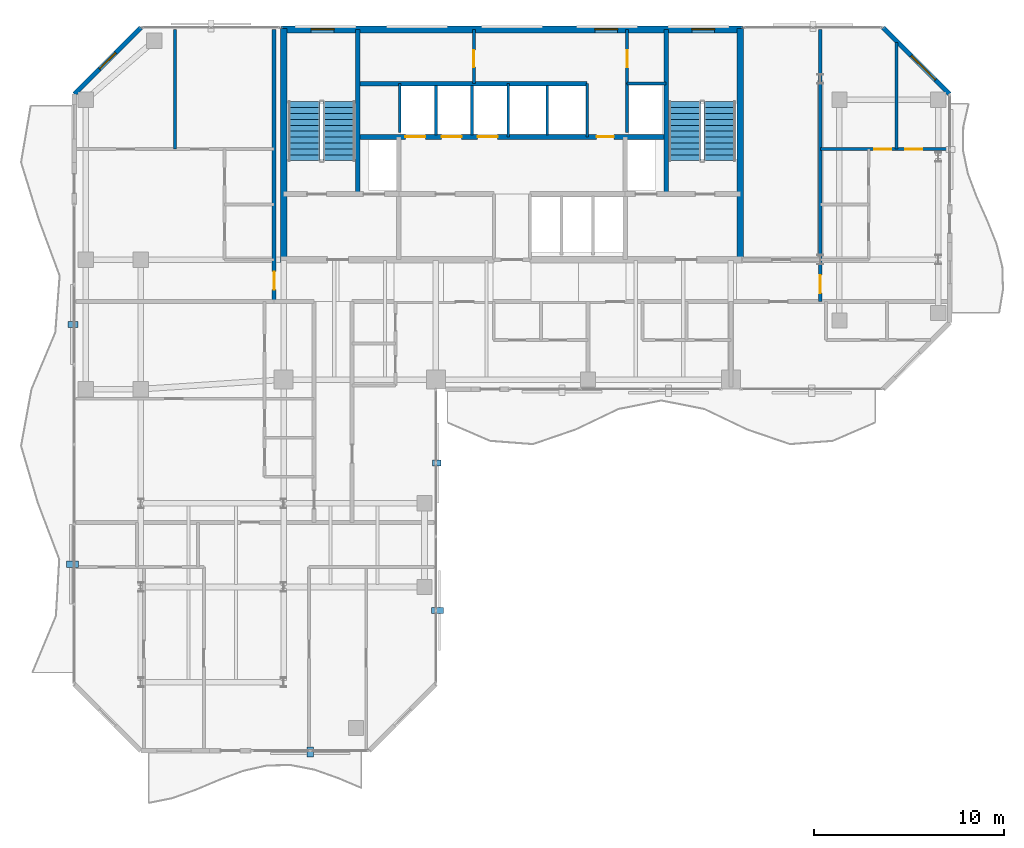
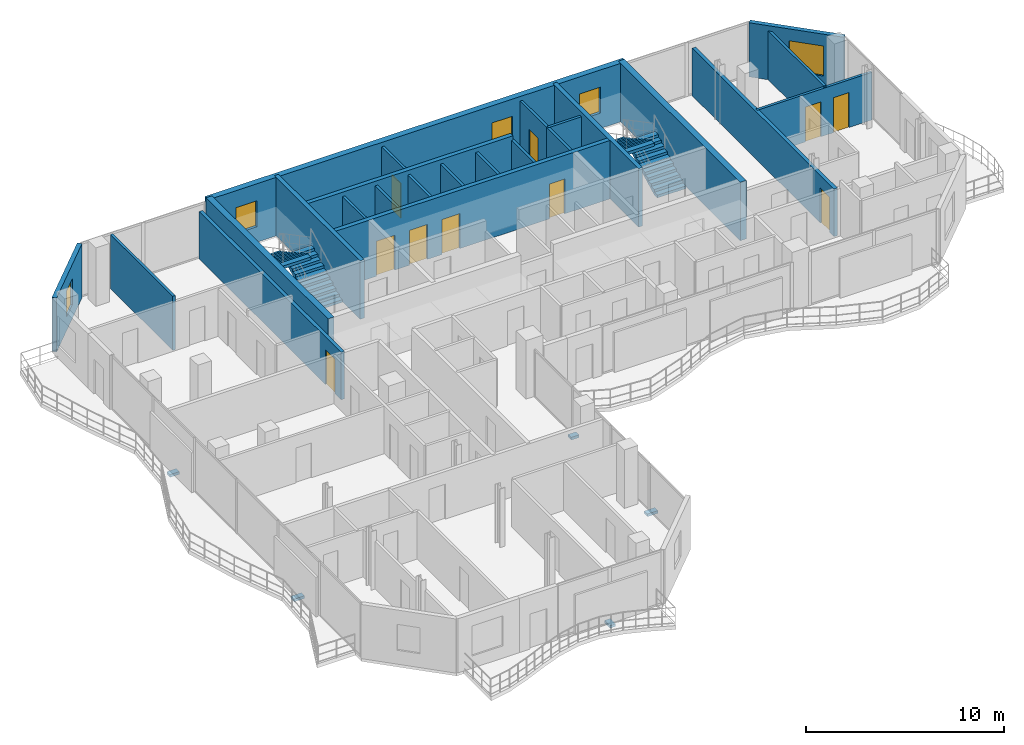
# One storey, part 20 of 24: 24 walls, 10 doors, 5 discrete accessories, 5 windows, 4 stair flights, 15 openings, 2 elements without a shape of their own.
"""IFC4 building model written with IfcOpenShell, lengths in metres."""

from ifc_helpers import new_model, si_unit, direction, frame, frame_2d, origin, origin_2d, place, context, subcontext, project, spatial, polyline, rectangle, outline, extrude, material, layer, layer_set, type_object, element, fill, aggregate, save


model = new_model("IFC4")

# Units and contexts
model_context = context("Model", 3, precision=1e-05, world=origin(), true_north=direction((0.0, 1.0)))
body_context = subcontext(model_context, "Body", "Model", "MODEL_VIEW")
ifc_project = project(units=[si_unit("LENGTHUNIT", "METRE"), si_unit("AREAUNIT", "SQUARE_METRE"), si_unit("VOLUMEUNIT", "CUBIC_METRE"), si_unit("PLANEANGLEUNIT", "RADIAN"), si_unit("MASSUNIT", "GRAM", prefix="KILO")], contexts=[model_context])

# Site, building, storey
site_placement = place(None, origin())
site = spatial("IfcSite", under=ifc_project, at=site_placement, CompositionType="ELEMENT")
building_placement = place(site_placement, origin())
building = spatial("IfcBuilding", under=site, at=building_placement, Name="Catumbela Crestline Tower", CompositionType="ELEMENT")
storey_placement = place(building_placement, frame((0.0, 0.0, 154.2)))
storey = spatial("IfcBuildingStorey", under=building, at=storey_placement, Name="L39", CompositionType="ELEMENT", Elevation=154.2)

# Walls
ifc_material_1 = material(Name="Concrete C50/60", Category="concrete")
ifc_layer_1 = layer(ifc_material_1, 0.25, Name="Concrete C50/60")
ifc_layer_set_1 = layer_set([ifc_layer_1], Name="Concrete C50/60")
wall_type_1 = type_object("IfcWallType", Name="CW-250D", PredefinedType="SHEAR", material=ifc_layer_set_1)
for number, where, z_axis, x_axis, name in (
    (1, (19.9, 34.25, 0.0), (0.0, 0.0, 1.0), (0.0, 1.0, 0.0), "L39 Structural Core Shear Wall WWEB"),
    (2, (36.1, 34.25, 0.0), (0.0, 0.0, 1.0), (0.0, 1.0, 0.0), "L39 Structural Core Shear Wall EWEB"),
):
    element("IfcWall", number, at=place(storey_placement, frame(where, z_axis=z_axis, x_axis=x_axis)), inside=storey, type_object=wall_type_1, Name=name, PredefinedType="SHEAR", context=body_context, shape_type="SweptSolid", body=[
        extrude(rectangle(XDim=8.65, YDim=0.25, at=frame_2d((4.325, 0.0))), origin(), (0.0, 0.0, 1.0), 3.6),
    ])

# Wall, openings, doors
wall_1_placement = place(storey_placement, frame((19.9, 37.25, 0.0), z_axis=(0.0, 0.0, 1.0), x_axis=(1.0, 0.0, 0.0)))
wall_1 = element("IfcWall", 3, at=wall_1_placement, inside=storey, type_object=wall_type_1, Name="L39 Structural Core Shear Wall LIFTN", PredefinedType="SHEAR", context=body_context, shape_type="SweptSolid", body=[
    extrude(rectangle(XDim=16.2, YDim=0.25, at=frame_2d((8.1, 0.0))), origin(), (0.0, 0.0, 1.0), 3.6),
])
opening_1_placement = place(wall_1_placement, frame((12.55, 0.0, 0.0)))
opening_1 = element("IfcOpeningElement", 4, at=opening_1_placement, cuts=wall_1, Name="Opening DF9-090", PredefinedType="OPENING", context=body_context, shape_type="SweptSolid", body=[
    extrude(rectangle(XDim=0.9, YDim=2.15, at=frame_2d((0.45, 1.075))), frame((0.0, 0.135, 0.0), z_axis=(0.0, -1.0, 0.0), x_axis=(1.0, 0.0, 0.0)), (0.0, 0.0, 1.0), 0.27),
])
opening_2_placement = place(wall_1_placement, frame((2.5, 0.0, 0.0)))
opening_2 = element("IfcOpeningElement", 5, at=opening_2_placement, cuts=wall_1, Name="Opening LD-105", PredefinedType="OPENING", context=body_context, shape_type="SweptSolid", body=[
    extrude(rectangle(XDim=1.05, YDim=2.15, at=frame_2d((0.525, 1.075))), frame((0.0, 0.135, 0.0), z_axis=(0.0, -1.0, 0.0), x_axis=(1.0, 0.0, 0.0)), (0.0, 0.0, 1.0), 0.27),
])
opening_3_placement = place(wall_1_placement, frame((4.4, 0.0, 0.0)))
opening_3 = element("IfcOpeningElement", 6, at=opening_3_placement, cuts=wall_1, Name="Opening LD-105", PredefinedType="OPENING", context=body_context, shape_type="SweptSolid", body=[
    extrude(rectangle(XDim=1.05, YDim=2.15, at=frame_2d((0.525, 1.075))), frame((0.0, 0.135, 0.0), z_axis=(0.0, -1.0, 0.0), x_axis=(1.0, 0.0, 0.0)), (0.0, 0.0, 1.0), 0.27),
])
opening_4_placement = place(wall_1_placement, frame((6.3, 0.0, 0.0)))
opening_4 = element("IfcOpeningElement", 7, at=opening_4_placement, cuts=wall_1, Name="Opening LD-105", PredefinedType="OPENING", context=body_context, shape_type="SweptSolid", body=[
    extrude(rectangle(XDim=1.05, YDim=2.15, at=frame_2d((0.525, 1.075))), frame((0.0, 0.135, 0.0), z_axis=(0.0, -1.0, 0.0), x_axis=(1.0, 0.0, 0.0)), (0.0, 0.0, 1.0), 0.27),
])
ifc_material_2 = material(Name="Stainless steel EN 1.4401", Category="steel")
door_type_1 = type_object("IfcDoorType", Name="DF9-090", OperationType="NOTDEFINED", PredefinedType="DOOR", material=ifc_material_2)
door_1_placement = place(opening_1_placement, origin())
door_1 = element("IfcDoor", 8, at=door_1_placement, inside=storey, type_object=door_type_1, Name="L39 Interior Door DR-L39-CPAS1", OperationType="SINGLE_SWING_LEFT", OverallHeight=2.15, OverallWidth=0.9, PredefinedType="DOOR", context=body_context, shape_type="SweptSolid", body=[
    extrude(rectangle(XDim=0.9, YDim=2.15, at=frame_2d((0.45, 1.075))), frame((0.0, 0.025, 0.0), z_axis=(0.0, -1.0, 0.0), x_axis=(1.0, 0.0, 0.0)), (0.0, 0.0, 1.0), 0.05),
])
fill(opening_1, door_1)
door_type_2 = type_object("IfcDoorType", Name="LD-105", OperationType="NOTDEFINED", PredefinedType="DOOR", material=ifc_material_2)
door_2_placement = place(opening_2_placement, origin())
door_2 = element("IfcDoor", 9, at=door_2_placement, inside=storey, type_object=door_type_2, Name="L39 Lift Landing Sliding Door PL-H1", OperationType="DOUBLE_DOOR_SLIDING", OverallHeight=2.15, OverallWidth=1.05, PredefinedType="DOOR", context=body_context, shape_type="SweptSolid", body=[
    extrude(rectangle(XDim=1.05, YDim=2.15, at=frame_2d((0.525, 1.075))), frame((0.0, 0.025, 0.0), z_axis=(0.0, -1.0, 0.0), x_axis=(1.0, 0.0, 0.0)), (0.0, 0.0, 1.0), 0.05),
])
fill(opening_2, door_2)
door_3_placement = place(opening_3_placement, origin())
door_3 = element("IfcDoor", 10, at=door_3_placement, inside=storey, type_object=door_type_2, Name="L39 Lift Landing Sliding Door PL-H2", OperationType="DOUBLE_DOOR_SLIDING", OverallHeight=2.15, OverallWidth=1.05, PredefinedType="DOOR", context=body_context, shape_type="SweptSolid", body=[
    extrude(rectangle(XDim=1.05, YDim=2.15, at=frame_2d((0.525, 1.075))), frame((0.0, 0.025, 0.0), z_axis=(0.0, -1.0, 0.0), x_axis=(1.0, 0.0, 0.0)), (0.0, 0.0, 1.0), 0.05),
])
fill(opening_3, door_3)
door_4_placement = place(opening_4_placement, origin())
door_4 = element("IfcDoor", 11, at=door_4_placement, inside=storey, type_object=door_type_2, Name="L39 Lift Landing Sliding Door PL-H3", OperationType="DOUBLE_DOOR_SLIDING", OverallHeight=2.15, OverallWidth=1.05, PredefinedType="DOOR", context=body_context, shape_type="SweptSolid", body=[
    extrude(rectangle(XDim=1.05, YDim=2.15, at=frame_2d((0.525, 1.075))), frame((0.0, 0.025, 0.0), z_axis=(0.0, -1.0, 0.0), x_axis=(1.0, 0.0, 0.0)), (0.0, 0.0, 1.0), 0.05),
])
fill(opening_4, door_4)

# Walls
wall_2_placement = place(storey_placement, frame((19.9, 40.05, 0.0), z_axis=(0.0, 0.0, 1.0), x_axis=(1.0, 0.0, 0.0)))
element("IfcWall", 12, at=wall_2_placement, inside=storey, type_object=wall_type_1, Name="L39 Structural Core Shear Wall COREN", PredefinedType="SHEAR", context=body_context, shape_type="SweptSolid", body=[
    extrude(rectangle(XDim=12.05, YDim=0.25, at=frame_2d((6.025, 0.0))), origin(), (0.0, 0.0, 1.0), 3.6),
])
ifc_layer_2 = layer(ifc_material_1, 0.35, Name="Concrete C50/60")
ifc_layer_set_2 = layer_set([ifc_layer_2], Name="Concrete C50/60")
wall_type_2 = type_object("IfcWallType", Name="CW-350B", PredefinedType="SHEAR", material=ifc_layer_set_2)
for number, where, z_axis, x_axis, name in (
    (13, (16.0, 30.65, 0.0), (0.0, 0.0, 1.0), (0.0, 1.0, 0.0), "L39 Structural Core Shear Wall W"),
    (14, (40.0, 30.65, 0.0), (0.0, 0.0, 1.0), (0.0, 1.0, 0.0), "L39 Structural Core Shear Wall E"),
):
    element("IfcWall", number, at=place(storey_placement, frame(where, z_axis=z_axis, x_axis=x_axis)), inside=storey, type_object=wall_type_2, Name=name, PredefinedType="SHEAR", context=body_context, shape_type="SweptSolid", body=[
        extrude(rectangle(XDim=12.3, YDim=0.35, at=frame_2d((6.15, 0.0))), origin(), (0.0, 0.0, 1.0), 3.6),
    ])

# Wall, openings, windows
ifc_layer_3 = layer(ifc_material_1, 0.35, Name="Concrete C50/60")
ifc_layer_set_3 = layer_set([ifc_layer_3], Name="Concrete C50/60")
wall_type_3 = type_object("IfcWallType", Name="CW-350E", PredefinedType="SHEAR", material=ifc_layer_set_3)
wall_3_placement = place(storey_placement, frame((15.85, 42.9, 0.0), z_axis=(0.0, 0.0, 1.0), x_axis=(1.0, 0.0, 0.0)))
wall_3 = element("IfcWall", 15, at=wall_3_placement, inside=storey, type_object=wall_type_3, Name="L39 Structural Core Shear Wall N", PredefinedType="SHEAR", context=body_context, shape_type="SweptSolid", body=[
    extrude(rectangle(XDim=24.3, YDim=0.35, at=frame_2d((12.15, 0.0))), origin(), (0.0, 0.0, 1.0), 3.6),
])
opening_5_placement = place(wall_3_placement, frame((1.6, 0.0, 0.95)))
opening_5 = element("IfcOpeningElement", 16, at=opening_5_placement, cuts=wall_3, Name="Opening WN-02", PredefinedType="OPENING", context=body_context, shape_type="SweptSolid", body=[
    extrude(rectangle(XDim=1.2, YDim=1.6, at=frame_2d((0.6, 0.8))), frame((0.0, 0.185, 0.0), z_axis=(0.0, -1.0, 0.0), x_axis=(1.0, 0.0, 0.0)), (0.0, 0.0, 1.0), 0.37),
])
opening_6_placement = place(wall_3_placement, frame((16.5, 0.0, 0.95)))
opening_6 = element("IfcOpeningElement", 17, at=opening_6_placement, cuts=wall_3, Name="Opening WN-02", PredefinedType="OPENING", context=body_context, shape_type="SweptSolid", body=[
    extrude(rectangle(XDim=1.2, YDim=1.6, at=frame_2d((0.6, 0.8))), frame((0.0, 0.185, 0.0), z_axis=(0.0, -1.0, 0.0), x_axis=(1.0, 0.0, 0.0)), (0.0, 0.0, 1.0), 0.37),
])
opening_7_placement = place(wall_3_placement, frame((21.6, 0.0, 0.95)))
opening_7 = element("IfcOpeningElement", 18, at=opening_7_placement, cuts=wall_3, Name="Opening WN-02", PredefinedType="OPENING", context=body_context, shape_type="SweptSolid", body=[
    extrude(rectangle(XDim=1.2, YDim=1.6, at=frame_2d((0.6, 0.8))), frame((0.0, 0.185, 0.0), z_axis=(0.0, -1.0, 0.0), x_axis=(1.0, 0.0, 0.0)), (0.0, 0.0, 1.0), 0.37),
])
ifc_material_3 = material(Name="Low-E laminated solar-control double glazing", Category="glass")
window_type_1 = type_object("IfcWindowType", Name="WO-1200", PartitioningType="SINGLE_PANEL", PredefinedType="WINDOW", material=ifc_material_3)
window_1_placement = place(opening_5_placement, origin())
window_1 = element("IfcWindow", 19, at=window_1_placement, inside=storey, type_object=window_type_1, Name="L39 North Core Daylight Vision Window 214", OverallHeight=1.6, OverallWidth=1.2, PartitioningType="SINGLE_PANEL", PredefinedType="WINDOW", context=body_context, shape_type="SweptSolid", body=[
    extrude(rectangle(XDim=1.2, YDim=1.6, at=frame_2d((0.6, 0.8))), frame((0.0, 0.03, 0.0), z_axis=(0.0, -1.0, 0.0), x_axis=(1.0, 0.0, 0.0)), (0.0, 0.0, 1.0), 0.06),
])
fill(opening_5, window_1)
window_2_placement = place(opening_6_placement, origin())
window_2 = element("IfcWindow", 20, at=window_2_placement, inside=storey, type_object=window_type_1, Name="L39 North Core Daylight Vision Window 215", OverallHeight=1.6, OverallWidth=1.2, PartitioningType="SINGLE_PANEL", PredefinedType="WINDOW", context=body_context, shape_type="SweptSolid", body=[
    extrude(rectangle(XDim=1.2, YDim=1.6, at=frame_2d((0.6, 0.8))), frame((0.0, 0.03, 0.0), z_axis=(0.0, -1.0, 0.0), x_axis=(1.0, 0.0, 0.0)), (0.0, 0.0, 1.0), 0.06),
])
fill(opening_6, window_2)
window_3_placement = place(opening_7_placement, origin())
window_3 = element("IfcWindow", 21, at=window_3_placement, inside=storey, type_object=window_type_1, Name="L39 North Core Daylight Vision Window 216", OverallHeight=1.6, OverallWidth=1.2, PartitioningType="SINGLE_PANEL", PredefinedType="WINDOW", context=body_context, shape_type="SweptSolid", body=[
    extrude(rectangle(XDim=1.2, YDim=1.6, at=frame_2d((0.6, 0.8))), frame((0.0, 0.03, 0.0), z_axis=(0.0, -1.0, 0.0), x_axis=(1.0, 0.0, 0.0)), (0.0, 0.0, 1.0), 0.06),
])
fill(opening_7, window_3)

# Wall, opening, door
ifc_material_4 = material(Name="Acoustic gypsum and mineral-wool partition")
ifc_layer_4 = layer(ifc_material_4, 0.2, Name="Acoustic gypsum and mineral-wool partition")
ifc_layer_set_4 = layer_set([ifc_layer_4], Name="Acoustic gypsum and mineral-wool partition")
wall_type_4 = type_object("IfcWallType", Name="WC-200", PredefinedType="PARTITIONING", material=ifc_layer_set_4)
wall_4_placement = place(storey_placement, frame((15.5, 28.6, 0.0), z_axis=(0.0, 0.0, 1.0), x_axis=(0.0, 1.0, 0.0)))
wall_4 = element("IfcWall", 22, at=wall_4_placement, inside=storey, type_object=wall_type_4, Name="L39 Interior Partition PW-L39-NW1-ENT", PredefinedType="PARTITIONING", context=body_context, shape_type="SweptSolid", body=[
    extrude(rectangle(XDim=14.3, YDim=0.2, at=frame_2d((7.15, 0.0))), origin(), (0.0, 0.0, 1.0), 2.93),
])
opening_8_placement = place(wall_4_placement, frame((0.625, 0.0, 0.0)))
opening_8 = element("IfcOpeningElement", 23, at=opening_8_placement, cuts=wall_4, Name="Opening DF6-095", PredefinedType="OPENING", context=body_context, shape_type="SweptSolid", body=[
    extrude(rectangle(XDim=0.95, YDim=2.15, at=frame_2d((0.475, 1.075))), frame((0.0, 0.11, 0.0), z_axis=(0.0, -1.0, 0.0), x_axis=(1.0, 0.0, 0.0)), (0.0, 0.0, 1.0), 0.22),
])
ifc_material_5 = material(Name="Aluminium alloy AW-6060-T66", Category="aluminium")
door_type_3 = type_object("IfcDoorType", Name="DF6-095", OperationType="NOTDEFINED", PredefinedType="DOOR", material=ifc_material_5)
door_5_placement = place(opening_8_placement, origin())
door_5 = element("IfcDoor", 24, at=door_5_placement, inside=storey, type_object=door_type_3, Name="L39 Interior Door DR-L39-NW1-ENT", OperationType="SINGLE_SWING_LEFT", OverallHeight=2.15, OverallWidth=0.95, PredefinedType="DOOR", context=body_context, shape_type="SweptSolid", body=[
    extrude(rectangle(XDim=0.95, YDim=2.15, at=frame_2d((0.475, 1.075))), frame((0.0, 0.025, 0.0), z_axis=(0.0, -1.0, 0.0), x_axis=(1.0, 0.0, 0.0)), (0.0, 0.0, 1.0), 0.05),
])
fill(opening_8, door_5)

wall_5_placement = place(storey_placement, frame((44.2, 28.6, 0.0), z_axis=(0.0, 0.0, 1.0), x_axis=(0.0, 1.0, 0.0)))
wall_5 = element("IfcWall", 25, at=wall_5_placement, inside=storey, type_object=wall_type_4, Name="L39 Interior Partition PW-L39-NE1-ENT", PredefinedType="PARTITIONING", context=body_context, shape_type="SweptSolid", body=[
    extrude(rectangle(XDim=14.3, YDim=0.2, at=frame_2d((7.15, 0.0))), origin(), (0.0, 0.0, 1.0), 2.93),
])
opening_9_placement = place(wall_5_placement, frame((0.445, 0.0, 0.0)))
opening_9 = element("IfcOpeningElement", 26, at=opening_9_placement, cuts=wall_5, Name="Opening DF6-095", PredefinedType="OPENING", context=body_context, shape_type="SweptSolid", body=[
    extrude(rectangle(XDim=0.95, YDim=2.15, at=frame_2d((0.475, 1.075))), frame((0.0, 0.11, 0.0), z_axis=(0.0, -1.0, 0.0), x_axis=(1.0, 0.0, 0.0)), (0.0, 0.0, 1.0), 0.22),
])
door_6_placement = place(opening_9_placement, origin())
door_6 = element("IfcDoor", 27, at=door_6_placement, inside=storey, type_object=door_type_3, Name="L39 Interior Door DR-L39-NE1-ENT", OperationType="SINGLE_SWING_LEFT", OverallHeight=2.15, OverallWidth=0.95, PredefinedType="DOOR", context=body_context, shape_type="SweptSolid", body=[
    extrude(rectangle(XDim=0.95, YDim=2.15, at=frame_2d((0.475, 1.075))), frame((0.0, 0.025, 0.0), z_axis=(0.0, -1.0, 0.0), x_axis=(1.0, 0.0, 0.0)), (0.0, 0.0, 1.0), 0.05),
])
fill(opening_9, door_6)

# Wall, opening, window
ifc_material_6 = material(Name="Angolan grey-ochre granite", Category="masonry")
ifc_layer_5 = layer(ifc_material_6, 0.25, Name="Angolan grey-ochre granite")
ifc_layer_set_5 = layer_set([ifc_layer_5], Name="Angolan grey-ochre granite")
wall_type_5 = type_object("IfcWallType", Name="WE-250", PredefinedType="STANDARD", material=ifc_layer_set_5)
wall_6_placement = place(storey_placement, frame((51.0, 39.5, 0.0), z_axis=(0.0, 0.0, 1.0), x_axis=(-0.707106781187, 0.707106781187, 0.0)))
wall_6 = element("IfcWall", 28, at=wall_6_placement, inside=storey, type_object=wall_type_5, Name="L39 Granite Punched Window Wall 6-1", PredefinedType="STANDARD", context=body_context, shape_type="SweptSolid", body=[
    extrude(rectangle(XDim=4.9497, YDim=0.25, at=frame_2d((2.4748, 0.0))), origin(), (0.0, 0.0, 1.0), 3.33),
])
opening_10_placement = place(wall_6_placement, frame((1.0574, 0.0, 0.75)))
opening_10 = element("IfcOpeningElement", 29, at=opening_10_placement, cuts=wall_6, Name="Opening WN-01", PredefinedType="OPENING", context=body_context, shape_type="SweptSolid", body=[
    extrude(rectangle(XDim=1.8, YDim=1.85, at=frame_2d((0.9, 0.925))), frame((0.0, 0.135, 0.0), z_axis=(0.0, -1.0, 0.0), x_axis=(1.0, 0.0, 0.0)), (0.0, 0.0, 1.0), 0.27),
])
window_type_2 = type_object("IfcWindowType", Name="WF-1800", PartitioningType="SINGLE_PANEL", PredefinedType="WINDOW", material=ifc_material_3)
window_4_placement = place(opening_10_placement, origin())
window_4 = element("IfcWindow", 30, at=window_4_placement, inside=storey, type_object=window_type_2, Name="L39 Facade Vision Window 221", OverallHeight=1.85, OverallWidth=1.8, PartitioningType="SINGLE_PANEL", PredefinedType="WINDOW", context=body_context, shape_type="SweptSolid", body=[
    extrude(rectangle(XDim=1.8, YDim=1.85, at=frame_2d((0.9, 0.925))), frame((0.0, 0.03, 0.0), z_axis=(0.0, -1.0, 0.0), x_axis=(1.0, 0.0, 0.0)), (0.0, 0.0, 1.0), 0.06),
])
fill(opening_10, window_4)

wall_7_placement = place(storey_placement, frame((8.5, 43.0, 0.0), z_axis=(0.0, 0.0, 1.0), x_axis=(-0.707106781187, -0.707106781187, 0.0)))
wall_7 = element("IfcWall", 31, at=wall_7_placement, inside=storey, type_object=wall_type_5, Name="L39 Granite Punched Window Wall 8-1", PredefinedType="STANDARD", context=body_context, shape_type="SweptSolid", body=[
    extrude(rectangle(XDim=4.9497, YDim=0.25, at=frame_2d((2.4748, 0.0))), origin(), (0.0, 0.0, 1.0), 3.33),
])
opening_11_placement = place(wall_7_placement, frame((1.8748, 0.0, 0.85)))
opening_11 = element("IfcOpeningElement", 32, at=opening_11_placement, cuts=wall_7, Name="Opening WN-02", PredefinedType="OPENING", context=body_context, shape_type="SweptSolid", body=[
    extrude(rectangle(XDim=1.2, YDim=1.6, at=frame_2d((0.6, 0.8))), frame((0.0, 0.135, 0.0), z_axis=(0.0, -1.0, 0.0), x_axis=(1.0, 0.0, 0.0)), (0.0, 0.0, 1.0), 0.27),
])
window_5_placement = place(opening_11_placement, origin())
window_5 = element("IfcWindow", 33, at=window_5_placement, inside=storey, type_object=window_type_1, Name="L39 Facade Vision Window 222", OverallHeight=1.6, OverallWidth=1.2, PartitioningType="SINGLE_PANEL", PredefinedType="WINDOW", context=body_context, shape_type="SweptSolid", body=[
    extrude(rectangle(XDim=1.2, YDim=1.6, at=frame_2d((0.6, 0.8))), frame((0.0, 0.03, 0.0), z_axis=(0.0, -1.0, 0.0), x_axis=(1.0, 0.0, 0.0)), (0.0, 0.0, 1.0), 0.06),
])
fill(opening_11, window_5)

# Wall
ifc_layer_6 = layer(ifc_material_4, 0.15, Name="Acoustic gypsum and mineral-wool partition")
ifc_layer_set_6 = layer_set([ifc_layer_6], Name="Acoustic gypsum and mineral-wool partition")
wall_type_6 = type_object("IfcWallType", Name="WP-150", PredefinedType="PARTITIONING", material=ifc_layer_set_6)
wall_8_placement = place(storey_placement, frame((34.05, 40.05, 0.0), z_axis=(0.0, 0.0, 1.0), x_axis=(1.0, 0.0, 0.0)))
element("IfcWall", 34, at=wall_8_placement, inside=storey, type_object=wall_type_6, Name="L39 Interior Partition PW-L39-CR-ES", PredefinedType="PARTITIONING", context=body_context, shape_type="SweptSolid", body=[
    extrude(rectangle(XDim=2.05, YDim=0.15, at=frame_2d((1.025, 0.0))), origin(), (0.0, 0.0, 1.0), 3.33),
])

# Wall, opening, door
wall_9_placement = place(storey_placement, frame((34.05, 40.05, 0.0), z_axis=(0.0, 0.0, 1.0), x_axis=(0.0, 1.0, 0.0)))
wall_9 = element("IfcWall", 35, at=wall_9_placement, inside=storey, type_object=wall_type_6, Name="L39 Interior Partition PW-L39-CR-EW", PredefinedType="PARTITIONING", context=body_context, shape_type="SweptSolid", body=[
    extrude(rectangle(XDim=2.85, YDim=0.15, at=frame_2d((1.425, 0.0))), origin(), (0.0, 0.0, 1.0), 3.33),
])
opening_12_placement = place(wall_9_placement, frame((0.865, 0.0, 0.0)))
opening_12 = element("IfcOpeningElement", 36, at=opening_12_placement, cuts=wall_9, Name="Opening DF9-090", PredefinedType="OPENING", context=body_context, shape_type="SweptSolid", body=[
    extrude(rectangle(XDim=0.9, YDim=2.15, at=frame_2d((0.45, 1.075))), frame((0.0, 0.085, 0.0), z_axis=(0.0, -1.0, 0.0), x_axis=(1.0, 0.0, 0.0)), (0.0, 0.0, 1.0), 0.17),
])
door_7_placement = place(opening_12_placement, origin())
door_7 = element("IfcDoor", 37, at=door_7_placement, inside=storey, type_object=door_type_1, Name="L39 Interior Door DR-L39-CREAST", OperationType="SINGLE_SWING_RIGHT", OverallHeight=2.15, OverallWidth=0.9, PredefinedType="DOOR", context=body_context, shape_type="SweptSolid", body=[
    extrude(rectangle(XDim=0.9, YDim=2.15, at=frame_2d((0.45, 1.075))), frame((0.0, 0.025, 0.0), z_axis=(0.0, -1.0, 0.0), x_axis=(1.0, 0.0, 0.0)), (0.0, 0.0, 1.0), 0.05),
])
fill(opening_12, door_7)

wall_10_placement = place(storey_placement, frame((26.0, 40.05, 0.0), z_axis=(0.0, 0.0, 1.0), x_axis=(0.0, 1.0, 0.0)))
wall_10 = element("IfcWall", 38, at=wall_10_placement, inside=storey, type_object=wall_type_6, Name="L39 Interior Partition PW-L39-CR-WW", PredefinedType="PARTITIONING", context=body_context, shape_type="SweptSolid", body=[
    extrude(rectangle(XDim=2.85, YDim=0.15, at=frame_2d((1.425, 0.0))), origin(), (0.0, 0.0, 1.0), 3.33),
])
opening_13_placement = place(wall_10_placement, frame((0.865, 0.0, 0.0)))
opening_13 = element("IfcOpeningElement", 39, at=opening_13_placement, cuts=wall_10, Name="Opening DF9-090", PredefinedType="OPENING", context=body_context, shape_type="SweptSolid", body=[
    extrude(rectangle(XDim=0.9, YDim=2.15, at=frame_2d((0.45, 1.075))), frame((0.0, 0.085, 0.0), z_axis=(0.0, -1.0, 0.0), x_axis=(1.0, 0.0, 0.0)), (0.0, 0.0, 1.0), 0.17),
])
door_8_placement = place(opening_13_placement, origin())
door_8 = element("IfcDoor", 40, at=door_8_placement, inside=storey, type_object=door_type_1, Name="L39 Interior Door DR-L39-CRWEST", OperationType="SINGLE_SWING_LEFT", OverallHeight=2.15, OverallWidth=0.9, PredefinedType="DOOR", context=body_context, shape_type="SweptSolid", body=[
    extrude(rectangle(XDim=0.9, YDim=2.15, at=frame_2d((0.45, 1.075))), frame((0.0, 0.025, 0.0), z_axis=(0.0, -1.0, 0.0), x_axis=(1.0, 0.0, 0.0)), (0.0, 0.0, 1.0), 0.05),
])
fill(opening_13, door_8)

# Wall
wall_11_placement = place(storey_placement, frame((10.3, 36.608, 0.0), z_axis=(0.0, 0.0, 1.0), x_axis=(0.0, 1.0, 0.0)))
element("IfcWall", 41, at=wall_11_placement, inside=storey, type_object=wall_type_6, Name="L39 Interior Partition PW-L39-NW1-BDP", PredefinedType="PARTITIONING", context=body_context, shape_type="SweptSolid", body=[
    extrude(rectangle(XDim=6.292, YDim=0.15, at=frame_2d((3.146, 0.0))), origin(), (0.0, 0.0, 1.0), 3.33),
])

# Wall, openings, doors
wall_12_placement = place(storey_placement, frame((44.2, 36.608, 0.0), z_axis=(0.0, 0.0, 1.0), x_axis=(1.0, 0.0, 0.0)))
wall_12 = element("IfcWall", 42, at=wall_12_placement, inside=storey, type_object=wall_type_6, Name="L39 Interior Partition PW-L39-NE1-KBN", PredefinedType="PARTITIONING", context=body_context, shape_type="SweptSolid", body=[
    extrude(rectangle(XDim=6.7, YDim=0.15, at=frame_2d((3.35, 0.0))), origin(), (0.0, 0.0, 1.0), 2.93),
])
opening_14_placement = place(wall_12_placement, frame((2.821, 0.0, 0.0)))
opening_14 = element("IfcOpeningElement", 43, at=opening_14_placement, cuts=wall_12, Name="Opening DI-090", PredefinedType="OPENING", context=body_context, shape_type="SweptSolid", body=[
    extrude(rectangle(XDim=0.9, YDim=2.15, at=frame_2d((0.45, 1.075))), frame((0.0, 0.085, 0.0), z_axis=(0.0, -1.0, 0.0), x_axis=(1.0, 0.0, 0.0)), (0.0, 0.0, 1.0), 0.17),
])
opening_15_placement = place(wall_12_placement, frame((4.4569, 0.0, 0.0)))
opening_15 = element("IfcOpeningElement", 44, at=opening_15_placement, cuts=wall_12, Name="Opening DI-090", PredefinedType="OPENING", context=body_context, shape_type="SweptSolid", body=[
    extrude(rectangle(XDim=0.9, YDim=2.15, at=frame_2d((0.45, 1.075))), frame((0.0, 0.085, 0.0), z_axis=(0.0, -1.0, 0.0), x_axis=(1.0, 0.0, 0.0)), (0.0, 0.0, 1.0), 0.17),
])
door_type_4 = type_object("IfcDoorType", Name="DI-090", OperationType="NOTDEFINED", PredefinedType="DOOR", material=ifc_material_5)
door_9_placement = place(opening_14_placement, origin())
door_9 = element("IfcDoor", 45, at=door_9_placement, inside=storey, type_object=door_type_4, Name="L39 Interior Door DR-L39-NE1-BD1", OperationType="SINGLE_SWING_LEFT", OverallHeight=2.15, OverallWidth=0.9, PredefinedType="DOOR", context=body_context, shape_type="SweptSolid", body=[
    extrude(rectangle(XDim=0.9, YDim=2.15, at=frame_2d((0.45, 1.075))), frame((0.0, 0.025, 0.0), z_axis=(0.0, -1.0, 0.0), x_axis=(1.0, 0.0, 0.0)), (0.0, 0.0, 1.0), 0.05),
])
fill(opening_14, door_9)
door_10_placement = place(opening_15_placement, origin())
door_10 = element("IfcDoor", 46, at=door_10_placement, inside=storey, type_object=door_type_4, Name="L39 Interior Door DR-L39-NE1-BD2", OperationType="SINGLE_SWING_RIGHT", OverallHeight=2.15, OverallWidth=0.9, PredefinedType="DOOR", context=body_context, shape_type="SweptSolid", body=[
    extrude(rectangle(XDim=0.9, YDim=2.15, at=frame_2d((0.45, 1.075))), frame((0.0, 0.025, 0.0), z_axis=(0.0, -1.0, 0.0), x_axis=(1.0, 0.0, 0.0)), (0.0, 0.0, 1.0), 0.05),
])
fill(opening_15, door_10)

# Walls
wall_13_placement = place(storey_placement, frame((48.196, 36.608, 0.0), z_axis=(0.0, 0.0, 1.0), x_axis=(0.0, 1.0, 0.0)))
element("IfcWall", 47, at=wall_13_placement, inside=storey, type_object=wall_type_6, Name="L39 Interior Partition PW-L39-NE1-BDP", PredefinedType="PARTITIONING", context=body_context, shape_type="SweptSolid", body=[
    extrude(rectangle(XDim=5.596, YDim=0.15, at=frame_2d((2.798, 0.0))), origin(), (0.0, 0.0, 1.0), 3.01),
])
ifc_layer_7 = layer(ifc_material_4, 0.15, Name="Acoustic gypsum and mineral-wool partition")
ifc_layer_set_7 = layer_set([ifc_layer_7], Name="Acoustic gypsum and mineral-wool partition")
wall_type_7 = type_object("IfcWallType", Name="WS-150", PredefinedType="PLUMBINGWALL", material=ifc_layer_set_7)
wall_14_placement = place(storey_placement, frame((22.1, 37.4897, 0.0), z_axis=(0.0, 0.0, 1.0), x_axis=(0.0, 1.0, 0.0)))
element("IfcWall", 48, at=wall_14_placement, inside=storey, type_object=wall_type_7, Name="L39 Interior Partition PW-L39-SHH0", PredefinedType="PLUMBINGWALL", context=body_context, shape_type="SweptSolid", body=[
    extrude(rectangle(XDim=2.5603, YDim=0.15, at=frame_2d((1.2801, 0.0))), origin(), (0.0, 0.0, 1.0), 3.33),
])
wall_15_placement = place(storey_placement, frame((27.8, 37.25, 0.0), z_axis=(0.0, 0.0, 1.0), x_axis=(0.0, 1.0, 0.0)))
element("IfcWall", 49, at=wall_15_placement, inside=storey, type_object=wall_type_7, Name="L39 Interior Partition PW-L39-SHH3", PredefinedType="PLUMBINGWALL", context=body_context, shape_type="SweptSolid", body=[
    extrude(rectangle(XDim=2.8, YDim=0.15, at=frame_2d((1.4, 0.0))), origin(), (0.0, 0.0, 1.0), 3.33),
])
for number, where, z_axis, x_axis, name in (
    (50, (24.0, 37.35, 0.0), (0.0, 0.0, 1.0), (0.0, 1.0, 0.0), "L39 Interior Partition PW-L39-SHH1"),
    (51, (25.9, 37.35, 0.0), (0.0, 0.0, 1.0), (0.0, 1.0, 0.0), "L39 Interior Partition PW-L39-SHH2"),
):
    element("IfcWall", number, at=place(storey_placement, frame(where, z_axis=z_axis, x_axis=x_axis)), inside=storey, type_object=wall_type_7, Name=name, PredefinedType="PLUMBINGWALL", context=body_context, shape_type="SweptSolid", body=[
        extrude(rectangle(XDim=2.6, YDim=0.15, at=frame_2d((1.3, 0.0))), origin(), (0.0, 0.0, 1.0), 3.33),
    ])
wall_16_placement = place(storey_placement, frame((31.95, 37.25, 0.0), z_axis=(0.0, 0.0, 1.0), x_axis=(0.0, 1.0, 0.0)))
element("IfcWall", 52, at=wall_16_placement, inside=storey, type_object=wall_type_7, Name="L39 Interior Partition PW-L39-SHEX2E", PredefinedType="PLUMBINGWALL", context=body_context, shape_type="SweptSolid", body=[
    extrude(rectangle(XDim=2.8, YDim=0.15, at=frame_2d((1.4, 0.0))), origin(), (0.0, 0.0, 1.0), 3.33),
])
wall_17_placement = place(storey_placement, frame((29.85, 37.35, 0.0), z_axis=(0.0, 0.0, 1.0), x_axis=(0.0, 1.0, 0.0)))
element("IfcWall", 53, at=wall_17_placement, inside=storey, type_object=wall_type_7, Name="L39 Interior Partition PW-L39-SHEX1", PredefinedType="PLUMBINGWALL", context=body_context, shape_type="SweptSolid", body=[
    extrude(rectangle(XDim=2.6, YDim=0.15, at=frame_2d((1.3, 0.0))), origin(), (0.0, 0.0, 1.0), 3.33),
])
wall_18_placement = place(storey_placement, frame((34.05, 37.4734, 0.0), z_axis=(0.0, 0.0, 1.0), x_axis=(0.0, 1.0, 0.0)))
element("IfcWall", 54, at=wall_18_placement, inside=storey, type_object=wall_type_7, Name="L39 Interior Partition PW-L39-RISW", PredefinedType="PLUMBINGWALL", context=body_context, shape_type="SweptSolid", body=[
    extrude(rectangle(XDim=2.5766, YDim=0.15, at=frame_2d((1.2883, 0.0))), origin(), (0.0, 0.0, 1.0), 3.33),
])

# Stair, stair flights
ifc_material_7 = material(Name="Concrete C45/55", Category="concrete")
stair_type = type_object("IfcStairType", Name="ST-DLG", PredefinedType="HALF_TURN_STAIR", material=ifc_material_7)
stair_1_placement = place(storey_placement, origin())
stair_1 = element("IfcStair", 55, at=stair_1_placement, inside=storey, type_object=stair_type, Name="L39 West Core Pressurised Exit Stair ST-01", PredefinedType="HALF_TURN_STAIR")
stair_flight_type = type_object("IfcStairFlightType", Name="SF-1636", PredefinedType="STRAIGHT", material=ifc_material_7)
stair_flight_1_placement = place(storey_placement, frame((18.92, 36.0, 0.0), z_axis=(0.0, 0.0, 1.0), x_axis=(0.0, 1.0, 0.0)))
stair_flight_1 = element("IfcStairFlight", 56, at=stair_flight_1_placement, type_object=stair_flight_type, Name="ST-01 flight 1", NumberOfRisers=11, NumberOfTreads=10, PredefinedType="STRAIGHT", RiserHeight=0.163636364, TreadLength=0.31, context=body_context, shape_type="SweptSolid", body=[
    extrude(outline(polyline([(0.0, 0.0), (0.0, 0.1636), (0.31, 0.1636), (0.31, 0.3273), (0.62, 0.3273), (0.62, 0.4909), (0.93, 0.4909), (0.93, 0.6545), (1.24, 0.6545), (1.24, 0.8182), (1.55, 0.8182), (1.55, 0.9818), (1.86, 0.9818), (1.86, 1.1455), (2.17, 1.1455), (2.17, 1.3091), (2.48, 1.3091), (2.48, 1.4727), (2.79, 1.4727), (2.79, 1.6364), (3.1, 1.6364), (3.1, 1.8), (3.1, 1.4554), (0.3427, 0.0), (0.0, 0.0)])), frame((0.0, 0.83, 0.0), z_axis=(0.0, -1.0, 0.0), x_axis=(1.0, 0.0, 0.0)), (0.0, 0.0, 1.0), 1.66),
])
stair_flight_2_placement = place(storey_placement, frame((17.08, 39.1, 1.8), z_axis=(0.0, 0.0, 1.0), x_axis=(0.0, -1.0, 0.0)))
stair_flight_2 = element("IfcStairFlight", 57, at=stair_flight_2_placement, type_object=stair_flight_type, Name="ST-01 flight 2", NumberOfRisers=11, NumberOfTreads=10, PredefinedType="STRAIGHT", RiserHeight=0.163636364, TreadLength=0.31, context=body_context, shape_type="SweptSolid", body=[
    extrude(outline(polyline([(0.0, 0.0), (0.0, 0.1636), (0.31, 0.1636), (0.31, 0.3273), (0.62, 0.3273), (0.62, 0.4909), (0.93, 0.4909), (0.93, 0.6545), (1.24, 0.6545), (1.24, 0.8182), (1.55, 0.8182), (1.55, 0.9818), (1.86, 0.9818), (1.86, 1.1455), (2.17, 1.1455), (2.17, 1.3091), (2.48, 1.3091), (2.48, 1.4727), (2.79, 1.4727), (2.79, 1.6364), (3.1, 1.6364), (3.1, 1.8), (3.1, 1.4554), (0.3427, 0.0), (0.0, 0.0)])), frame((0.0, 0.83, 0.0), z_axis=(0.0, -1.0, 0.0), x_axis=(1.0, 0.0, 0.0)), (0.0, 0.0, 1.0), 1.66),
])
aggregate(stair_1, [stair_flight_1, stair_flight_2])

stair_2_placement = place(storey_placement, origin())
stair_2 = element("IfcStair", 58, at=stair_2_placement, inside=storey, type_object=stair_type, Name="L39 East Core Pressurised Exit Stair ST-02", PredefinedType="HALF_TURN_STAIR")
stair_flight_3_placement = place(storey_placement, frame((38.92, 36.0, 0.0), z_axis=(0.0, 0.0, 1.0), x_axis=(0.0, 1.0, 0.0)))
stair_flight_3 = element("IfcStairFlight", 59, at=stair_flight_3_placement, type_object=stair_flight_type, Name="ST-02 flight 1", NumberOfRisers=11, NumberOfTreads=10, PredefinedType="STRAIGHT", RiserHeight=0.163636364, TreadLength=0.31, context=body_context, shape_type="SweptSolid", body=[
    extrude(outline(polyline([(0.0, 0.0), (0.0, 0.1636), (0.31, 0.1636), (0.31, 0.3273), (0.62, 0.3273), (0.62, 0.4909), (0.93, 0.4909), (0.93, 0.6545), (1.24, 0.6545), (1.24, 0.8182), (1.55, 0.8182), (1.55, 0.9818), (1.86, 0.9818), (1.86, 1.1455), (2.17, 1.1455), (2.17, 1.3091), (2.48, 1.3091), (2.48, 1.4727), (2.79, 1.4727), (2.79, 1.6364), (3.1, 1.6364), (3.1, 1.8), (3.1, 1.4554), (0.3427, 0.0), (0.0, 0.0)])), frame((0.0, 0.83, 0.0), z_axis=(0.0, -1.0, 0.0), x_axis=(1.0, 0.0, 0.0)), (0.0, 0.0, 1.0), 1.66),
])
stair_flight_4_placement = place(storey_placement, frame((37.08, 39.1, 1.8), z_axis=(0.0, 0.0, 1.0), x_axis=(0.0, -1.0, 0.0)))
stair_flight_4 = element("IfcStairFlight", 60, at=stair_flight_4_placement, type_object=stair_flight_type, Name="ST-02 flight 2", NumberOfRisers=11, NumberOfTreads=10, PredefinedType="STRAIGHT", RiserHeight=0.163636364, TreadLength=0.31, context=body_context, shape_type="SweptSolid", body=[
    extrude(outline(polyline([(0.0, 0.0), (0.0, 0.1636), (0.31, 0.1636), (0.31, 0.3273), (0.62, 0.3273), (0.62, 0.4909), (0.93, 0.4909), (0.93, 0.6545), (1.24, 0.6545), (1.24, 0.8182), (1.55, 0.8182), (1.55, 0.9818), (1.86, 0.9818), (1.86, 1.1455), (2.17, 1.1455), (2.17, 1.3091), (2.48, 1.3091), (2.48, 1.4727), (2.79, 1.4727), (2.79, 1.6364), (3.1, 1.6364), (3.1, 1.8), (3.1, 1.4554), (0.3427, 0.0), (0.0, 0.0)])), frame((0.0, 0.83, 0.0), z_axis=(0.0, -1.0, 0.0), x_axis=(1.0, 0.0, 0.0)), (0.0, 0.0, 1.0), 1.66),
])
aggregate(stair_2, [stair_flight_3, stair_flight_4])

# Discrete accessories
discrete_accessory_type = type_object("IfcDiscreteAccessoryType", Name="BK-SS1", PredefinedType="BRACKET", material=ifc_material_2)
discrete_accessory_1_placement = place(storey_placement, frame((17.4, 4.935, -0.18), z_axis=(0.0, 0.0, 1.0), x_axis=(1.0, 0.0, 0.0)))
element("IfcDiscreteAccessory", 61, at=discrete_accessory_1_placement, inside=storey, type_object=discrete_accessory_type, Name="L39 Solar Screen Stainless Bracket 416", PredefinedType="BRACKET", context=body_context, shape_type="SweptSolid", body=[
    extrude(rectangle(XDim=0.32, YDim=0.54, at=origin_2d()), origin(), (0.0, 0.0, 1.0), 0.16),
])
discrete_accessory_2_placement = place(storey_placement, frame((24.085, 12.375, -0.18), z_axis=(0.0, 0.0, 1.0), x_axis=(0.0, 1.0, 0.0)))
element("IfcDiscreteAccessory", 62, at=discrete_accessory_2_placement, inside=storey, type_object=discrete_accessory_type, Name="L39 Solar Screen Stainless Bracket 417", PredefinedType="BRACKET", context=body_context, shape_type="SweptSolid", body=[
    extrude(rectangle(XDim=0.32, YDim=0.62, at=origin_2d()), origin(), (0.0, 0.0, 1.0), 0.16),
])
discrete_accessory_3_placement = place(storey_placement, frame((24.045, 20.125, -0.18), z_axis=(0.0, 0.0, 1.0), x_axis=(0.0, 1.0, 0.0)))
element("IfcDiscreteAccessory", 63, at=discrete_accessory_3_placement, inside=storey, type_object=discrete_accessory_type, Name="L39 Solar Screen Stainless Bracket 418", PredefinedType="BRACKET", context=body_context, shape_type="SweptSolid", body=[
    extrude(rectangle(XDim=0.32, YDim=0.46, at=origin_2d()), origin(), (0.0, 0.0, 1.0), 0.16),
])
discrete_accessory_4_placement = place(storey_placement, frame((4.935, 27.4, -0.18), z_axis=(0.0, 0.0, 1.0), x_axis=(0.0, -1.0, 0.0)))
element("IfcDiscreteAccessory", 64, at=discrete_accessory_4_placement, inside=storey, type_object=discrete_accessory_type, Name="L39 Solar Screen Stainless Bracket 425", PredefinedType="BRACKET", context=body_context, shape_type="SweptSolid", body=[
    extrude(rectangle(XDim=0.32, YDim=0.54, at=origin_2d()), origin(), (0.0, 0.0, 1.0), 0.16),
])
discrete_accessory_5_placement = place(storey_placement, frame((4.915, 14.8, -0.18), z_axis=(0.0, 0.0, 1.0), x_axis=(0.0, -1.0, 0.0)))
element("IfcDiscreteAccessory", 65, at=discrete_accessory_5_placement, inside=storey, type_object=discrete_accessory_type, Name="L39 Solar Screen Stainless Bracket 426", PredefinedType="BRACKET", context=body_context, shape_type="SweptSolid", body=[
    extrude(rectangle(XDim=0.32, YDim=0.62, at=origin_2d()), origin(), (0.0, 0.0, 1.0), 0.16),
])

save(model, "model.ifc")
